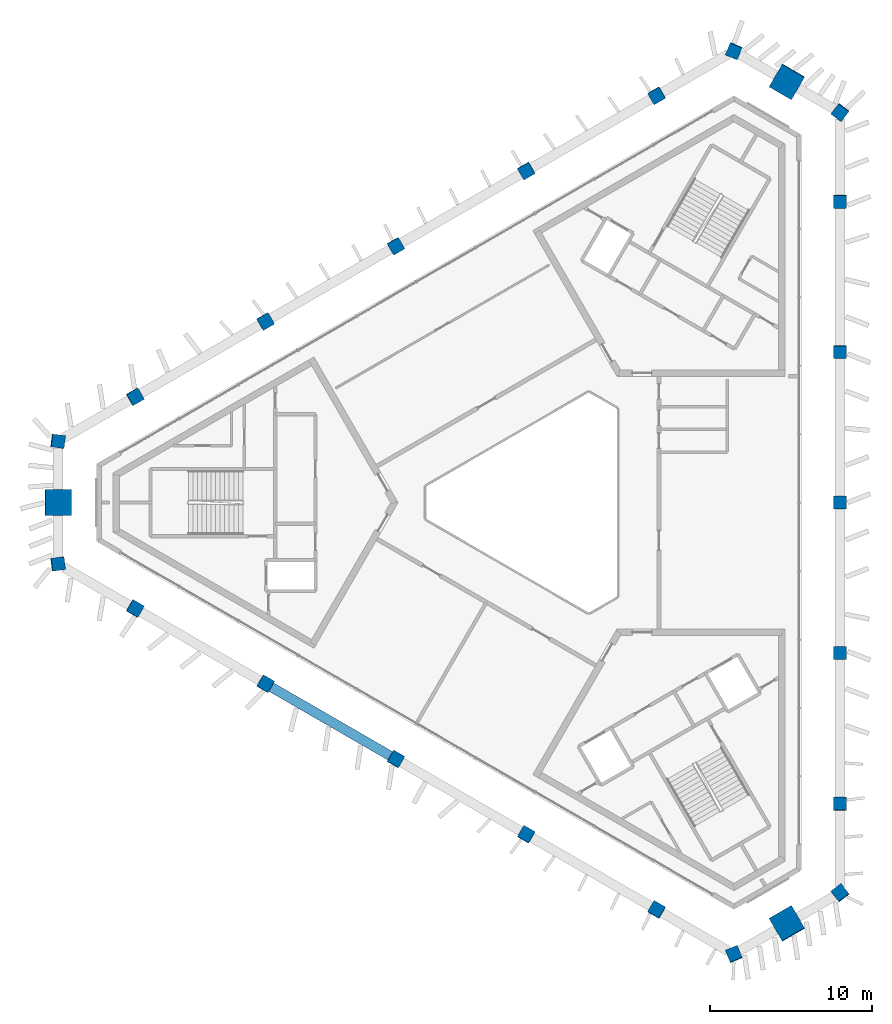
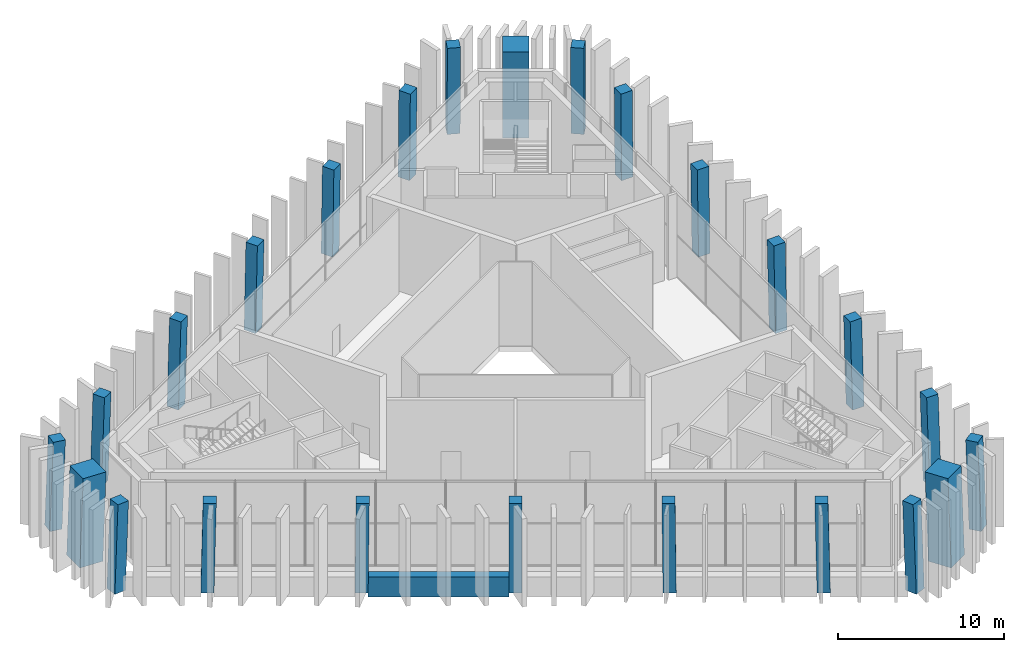
# One storey, part 1 of 13: 24 columns, 1 beam.
"""IFC4 building model written with IfcOpenShell, lengths in metres."""

from ifc_helpers import new_model, si_unit, direction, frame, origin, origin_2d, place, context, subcontext, project, spatial, rectangle, extrude, material, material_profile, profile_set, type_object, element, save


model = new_model("IFC4")

# Units and contexts
model_context = context("Model", 3, precision=1e-05, world=origin(), true_north=direction((0.0, 1.0)))
body_context = subcontext(model_context, "Body", "Model", "MODEL_VIEW")
ifc_project = project(units=[si_unit("LENGTHUNIT", "METRE"), si_unit("AREAUNIT", "SQUARE_METRE"), si_unit("VOLUMEUNIT", "CUBIC_METRE"), si_unit("PLANEANGLEUNIT", "RADIAN"), si_unit("MASSUNIT", "GRAM", prefix="KILO")], contexts=[model_context])

# Site, building, storey
site_placement = place(None, origin())
site = spatial("IfcSite", under=ifc_project, at=site_placement, CompositionType="ELEMENT")
building_placement = place(site_placement, origin())
building = spatial("IfcBuilding", under=site, at=building_placement, Name="Jabali Bay Hotel Tower and Convention Centre", CompositionType="ELEMENT")
storey_placement = place(building_placement, frame((0.0, 0.0, 315.800048828125)))
storey = spatial("IfcBuildingStorey", under=building, at=storey_placement, Name="L77", CompositionType="ELEMENT", Elevation=315.800048828125)

# Columns
ifc_material_1 = material(Name="Concrete C60", Category="concrete")
ifc_material_profile_1 = material_profile(ifc_material_1, rectangle(XDim=0.800048828125, YDim=0.800048828125, at=origin_2d()), Name="Frame column 800")
ifc_profile_set_1 = profile_set([ifc_material_profile_1], Name="Concrete C60")
column_type_1 = type_object("IfcColumnType", Name="Frame column 800", PredefinedType="COLUMN", material=ifc_profile_set_1)
column_1_placement = place(storey_placement, frame((81.954345703125, 105.123046875, 0.0), z_axis=(-0.008372286614, -0.028157914622, 0.999568425202), x_axis=(0.865808474748, 0.499920508321, 0.021334723224)))
element("IfcColumn", 1, at=column_1_placement, inside=storey, type_object=column_type_1, Name="FC6 F1.1 L77", PredefinedType="COLUMN", context=body_context, shape_type="SweptSolid", body=[
    extrude(rectangle(XDim=0.800048828125, YDim=0.800048828125, at=origin_2d()), origin(), (0.0, 0.0, 1.0), 6.502685546875),
])
column_2_placement = place(storey_placement, frame((73.9072265625, 100.47705078125, 0.0), z_axis=(0.000863656717, -0.022830577562, 0.999738975346), x_axis=(0.865927997348, 0.500054820316, 0.010671461344)))
element("IfcColumn", 2, at=column_2_placement, inside=storey, type_object=column_type_1, Name="FC6 F1.2 L77", PredefinedType="COLUMN", context=body_context, shape_type="SweptSolid", body=[
    extrude(rectangle(XDim=0.800048828125, YDim=0.800048828125, at=origin_2d()), origin(), (0.0, 0.0, 1.0), 6.501708984375),
])
column_3_placement = place(storey_placement, frame((65.860107421875, 95.8310546875, 0.0), z_axis=(0.010064054513, -0.017499438071, 0.999796221474), x_axis=(-0.498436844032, 0.866690946639, 0.020187013797)))
element("IfcColumn", 3, at=column_3_placement, inside=storey, type_object=column_type_1, Name="FC6 F1.3 L77", PredefinedType="COLUMN", context=body_context, shape_type="SweptSolid", body=[
    extrude(rectangle(XDim=0.800048828125, YDim=0.800048828125, at=origin_2d()), origin(), (0.0, 0.0, 1.0), 6.501220703125),
])
column_4_placement = place(storey_placement, frame((57.812744140625, 91.184814453125, 0.0), z_axis=(0.019338409114, -0.012128749794, 0.999739425731), x_axis=(-0.500701903532, 0.865384427386, 0.020184068899)))
element("IfcColumn", 4, at=column_4_placement, inside=storey, type_object=column_type_1, Name="FC6 F1.4 L77", PredefinedType="COLUMN", context=body_context, shape_type="SweptSolid", body=[
    extrude(rectangle(XDim=0.800048828125, YDim=0.800048828125, at=origin_2d()), origin(), (0.0, 0.0, 1.0), 6.501708984375),
])
for number, where, z_axis, x_axis, name in (
    (5, (49.765625, 86.538818359375, 0.0), (0.028570904357, -0.006795445057, 0.999568669652), (-0.500428449334, 0.865542492195, 0.020188147575), "FC6 F1.5 L77"),
    (6, (49.765625, 73.461181640625, 0.0), (0.028570904357, 0.006795445057, 0.999568669652), (-0.865306344898, 0.500789392991, 0.021328697729), "FC6 F2.1 L77"),
):
    element("IfcColumn", number, at=place(storey_placement, frame(where, z_axis=z_axis, x_axis=x_axis)), inside=storey, type_object=column_type_1, Name=name, PredefinedType="COLUMN", context=body_context, shape_type="SweptSolid", body=[
        extrude(rectangle(XDim=0.800048828125, YDim=0.800048828125, at=origin_2d()), origin(), (0.0, 0.0, 1.0), 6.502685546875),
    ])
column_5_placement = place(storey_placement, frame((57.812744140625, 68.815185546875, 0.0), z_axis=(0.019338409114, 0.012128749794, 0.999739425731), x_axis=(-0.865403737993, 0.500961761282, 0.010662269988)))
element("IfcColumn", 7, at=column_5_placement, inside=storey, type_object=column_type_1, Name="FC6 F2.2 L77", PredefinedType="COLUMN", context=body_context, shape_type="SweptSolid", body=[
    extrude(rectangle(XDim=0.800048828125, YDim=0.800048828125, at=origin_2d()), origin(), (0.0, 0.0, 1.0), 6.501708984375),
])
column_6_placement = place(storey_placement, frame((65.860107421875, 64.1689453125, 0.0), z_axis=(0.010064054513, 0.017499438071, 0.999796221474), x_axis=(-0.866867595033, 0.498538436514, 6.0248e-08)))
element("IfcColumn", 8, at=column_6_placement, inside=storey, type_object=column_type_1, Name="FC6 F2.3 L77", PredefinedType="COLUMN", context=body_context, shape_type="SweptSolid", body=[
    extrude(rectangle(XDim=0.800048828125, YDim=0.800048828125, at=origin_2d()), origin(), (0.0, 0.0, 1.0), 6.501220703125),
])
column_7_placement = place(storey_placement, frame((73.9072265625, 59.52294921875, 0.0), z_axis=(0.000863656717, 0.022830577562, 0.999738975346), x_axis=(-0.500167929305, -0.865692752313, 0.020201512011)))
element("IfcColumn", 9, at=column_7_placement, inside=storey, type_object=column_type_1, Name="FC6 F2.4 L77", PredefinedType="COLUMN", context=body_context, shape_type="SweptSolid", body=[
    extrude(rectangle(XDim=0.800048828125, YDim=0.800048828125, at=origin_2d()), origin(), (0.0, 0.0, 1.0), 6.501708984375),
])
for number, where, z_axis, x_axis, name in (
    (10, (81.954345703125, 54.876953125, 0.0), (-0.008372286614, 0.028157914622, 0.999568425202), (-0.500305496543, -0.865613434048, 0.020193883331), "FC6 F2.5 L77"),
    (11, (93.280029296875, 61.415771484375, 0.0), (-0.020198613048, 0.02132492976, 0.999568538621), (0.000128362243, -0.999772441452, 0.021331873709), "FC6 F0.1 L77"),
):
    element("IfcColumn", number, at=place(storey_placement, frame(where, z_axis=z_axis, x_axis=x_axis)), inside=storey, type_object=column_type_1, Name=name, PredefinedType="COLUMN", context=body_context, shape_type="SweptSolid", body=[
        extrude(rectangle(XDim=0.800048828125, YDim=0.800048828125, at=origin_2d()), origin(), (0.0, 0.0, 1.0), 6.502685546875),
    ])
column_8_placement = place(storey_placement, frame((93.280029296875, 70.7080078125, 0.0), z_axis=(-0.020202058444, 0.010664283639, 0.999739040895), x_axis=(0.000179580249, -0.999943056857, 0.010670088729)))
element("IfcColumn", 12, at=column_8_placement, inside=storey, type_object=column_type_1, Name="FC6 F0.2 L77", PredefinedType="COLUMN", context=body_context, shape_type="SweptSolid", body=[
    extrude(rectangle(XDim=0.800048828125, YDim=0.800048828125, at=origin_2d()), origin(), (0.0, 0.0, 1.0), 6.501708984375),
])
column_9_placement = place(storey_placement, frame((93.280029296875, 80.0, 0.0), z_axis=(-0.020203207301, 0.0, 0.999795894378), x_axis=(0.0, -1.0, 0.0)))
element("IfcColumn", 13, at=column_9_placement, inside=storey, type_object=column_type_1, Name="FC6 F0.3 L77", PredefinedType="COLUMN", context=body_context, shape_type="SweptSolid", body=[
    extrude(rectangle(XDim=0.800048828125, YDim=0.800048828125, at=origin_2d()), origin(), (0.0, 0.0, 1.0), 6.501220703125),
])
column_10_placement = place(storey_placement, frame((93.280029296875, 89.2919921875, 0.0), z_axis=(-0.020202058444, -0.010664283639, 0.999739040895), x_axis=(0.999795901465, -0.000395091142, 0.02019899298)))
element("IfcColumn", 14, at=column_10_placement, inside=storey, type_object=column_type_1, Name="FC6 F0.4 L77", PredefinedType="COLUMN", context=body_context, shape_type="SweptSolid", body=[
    extrude(rectangle(XDim=0.800048828125, YDim=0.800048828125, at=origin_2d()), origin(), (0.0, 0.0, 1.0), 6.501708984375),
])
column_11_placement = place(storey_placement, frame((93.280029296875, 98.584228515625, 0.0), z_axis=(-0.020198613048, -0.02132492976, 0.999568538621), x_axis=(0.999795978965, -0.000559181123, 0.020191279365)))
element("IfcColumn", 15, at=column_11_placement, inside=storey, type_object=column_type_1, Name="FC6 F0.5 L77", PredefinedType="COLUMN", context=body_context, shape_type="SweptSolid", body=[
    extrude(rectangle(XDim=0.800048828125, YDim=0.800048828125, at=origin_2d()), origin(), (0.0, 0.0, 1.0), 6.502685546875),
])
for number, where, z_axis, x_axis, name in (
    (16, (93.280029296875, 55.909423828125, 0.0), (-0.020194700798, 0.029015806165, 0.999374933172), (-0.796514396941, -0.604617802203, 0.001459015007), "FC6 V0 L77"),
    (17, (93.280029296875, 104.090576171875, 0.0), (-0.020194700798, -0.029015806165, 0.999374933172), (0.604282210167, 0.795987057842, 0.035321582962), "FC6 V1 L77"),
    (18, (86.72314453125, 107.876220703125, 0.0), (-0.015052186894, -0.031981205072, 0.99937512186), (0.921588898556, -0.388164621988, 0.001458867578), "FC6 V2 L77"),
    (19, (44.996826171875, 83.78564453125, 0.0), (0.035209370258, -0.002965394723, 0.999375558376), (-0.991537776201, 0.124925864294, 0.035303920424), "FC6 V3 L77"),
    (20, (44.996826171875, 76.21435546875, 0.0), (0.035209370258, 0.002965394723, 0.999375558376), (-0.124952545444, 0.992161647548, 0.001458260121), "FC6 V4 L77"),
    (21, (86.72314453125, 52.123779296875, 0.0), (-0.015052186894, 0.031981205072, 0.99937512186), (0.387875410058, -0.921034976947, 0.035316249992), "FC6 V5 L77"),
):
    element("IfcColumn", number, at=place(storey_placement, frame(where, z_axis=z_axis, x_axis=x_axis)), inside=storey, type_object=column_type_1, Name=name, PredefinedType="COLUMN", context=body_context, shape_type="SweptSolid", body=[
        extrude(rectangle(XDim=0.800048828125, YDim=0.800048828125, at=origin_2d()), origin(), (0.0, 0.0, 1.0), 6.504150390625),
    ])
ifc_material_2 = material(Name="Concrete C70", Category="concrete")
ifc_material_profile_2 = material_profile(ifc_material_2, rectangle(XDim=1.60009765625, YDim=1.60009765625, at=origin_2d()), Name="Mega column 1600")
ifc_profile_set_2 = profile_set([ifc_material_profile_2], Name="Concrete C70")
column_type_2 = type_object("IfcColumnType", Name="Mega column 1600", PredefinedType="COLUMN", material=ifc_profile_set_2)
for number, where, z_axis, x_axis, name in (
    (22, (90.00146484375, 105.9833984375, 0.0), (-0.017604769219, -0.030479898946, 0.999380331936), (0.865938344622, -0.500150760584, 1.00136e-07), "MC6 M1 L77"),
    (23, (44.996826171875, 80.0, 0.0), (0.035209525067, 0.0, 0.999379952443), (0.0, 1.0, 0.0), "MC6 M0 L77"),
    (24, (90.00146484375, 54.0166015625, 0.0), (-0.017604769219, 0.030479898946, 0.999380331936), (0.499838940893, -0.865402843205, 0.035198751952), "MC6 M2 L77"),
):
    element("IfcColumn", number, at=place(storey_placement, frame(where, z_axis=z_axis, x_axis=x_axis)), inside=storey, type_object=column_type_2, Name=name, PredefinedType="COLUMN", context=body_context, shape_type="SweptSolid", body=[
        extrude(rectangle(XDim=1.60009765625, YDim=1.60009765625, at=origin_2d()), origin(), (0.0, 0.0, 1.0), 6.504150390625),
    ])

# Beam
ifc_material_profile_3 = material_profile(ifc_material_1, rectangle(XDim=0.60009765625, YDim=1.449951171875, at=origin_2d()), Name="Spandrel 600x1450")
ifc_profile_set_3 = profile_set([ifc_material_profile_3], Name="Concrete C60")
beam_type = type_object("IfcBeamType", Name="Spandrel 600x1450", PredefinedType="SPANDREL", material=ifc_profile_set_3)
beam_placement = place(storey_placement, frame((58.16650390625, 68.61962890625, 0.375), z_axis=(0.866030874578, -0.499990524188, 0.0), x_axis=(0.499990524188, 0.866030874578, 0.0)))
element("IfcBeam", 25, at=beam_placement, inside=storey, type_object=beam_type, Name="Spandrel F2.2-F2.3 L77", PredefinedType="SPANDREL", context=body_context, shape_type="SweptSolid", body=[
    extrude(rectangle(XDim=0.60009765625, YDim=1.449951171875, at=origin_2d()), origin(), (0.0, 0.0, 1.0), 8.488037109375),
])

save(model, "model.ifc")
